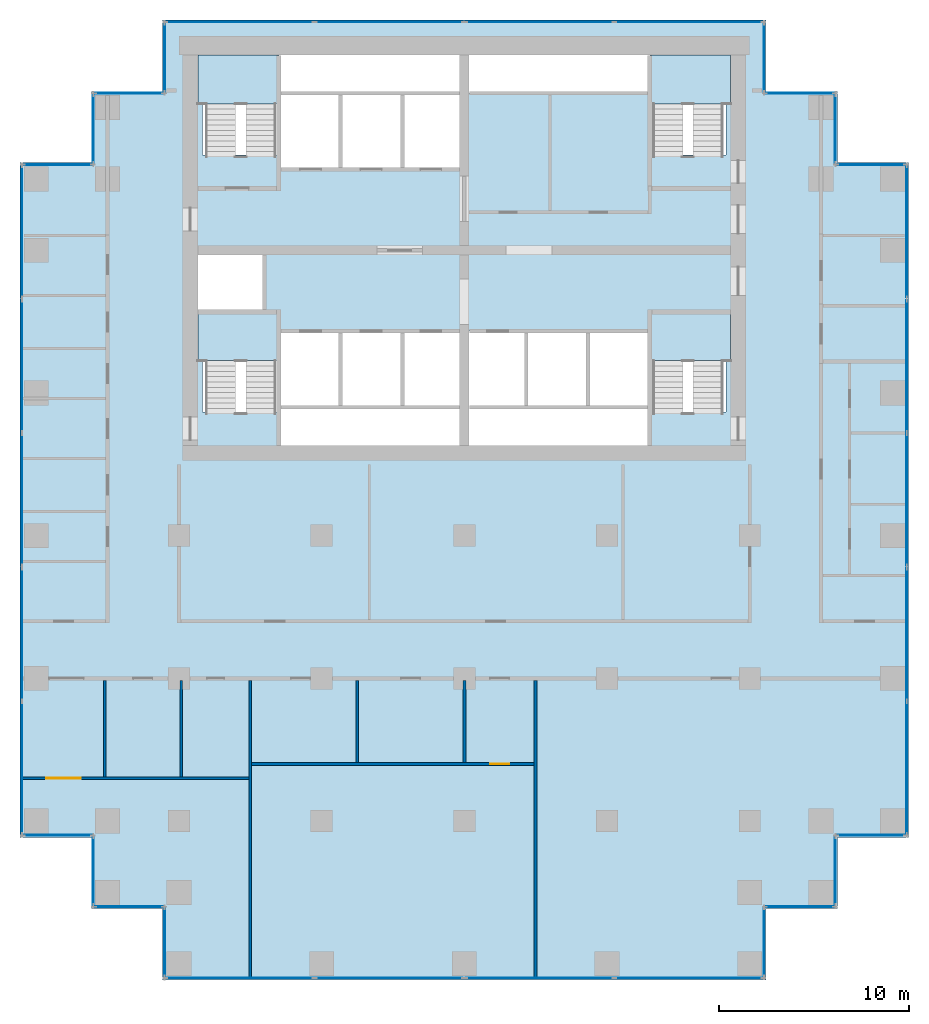
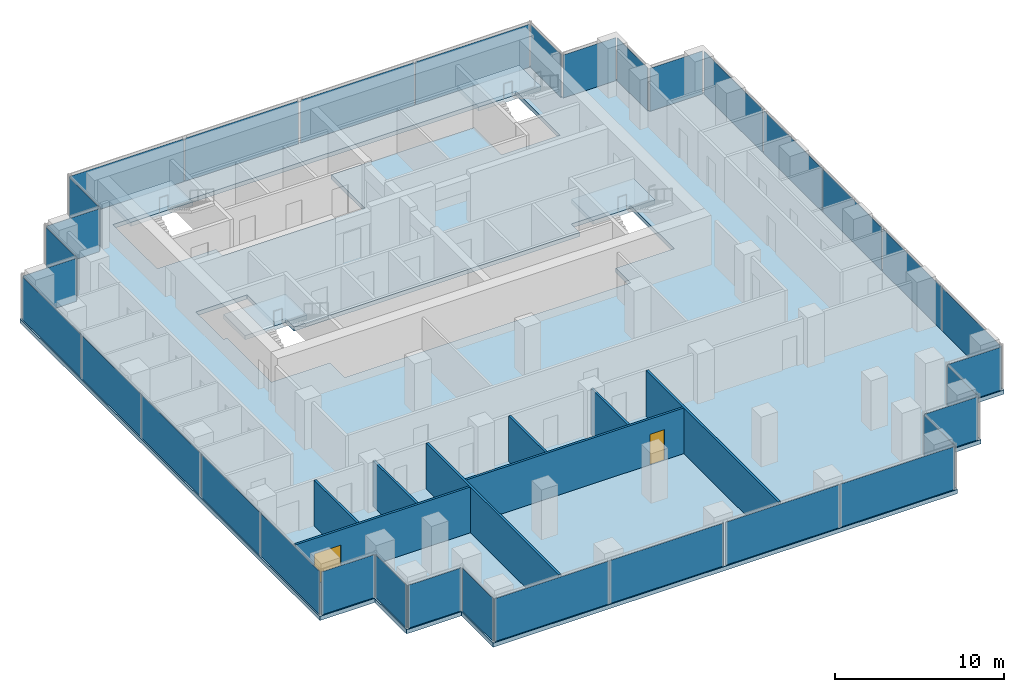
# One storey, part 6 of 10: 34 plates, 8 walls, 5 slabs, 2 doors, 2 openings, 30 elements without a shape of their own.
"""IFC4 building model written with IfcOpenShell, lengths in metres."""

from ifc_helpers import new_model, si_unit, direction, frame, frame_2d, origin, origin_2d, place, context, subcontext, project, spatial, polyline, rectangle, outline, extrude, material, layer, layer_set, type_object, element, fill, aggregate, save


model = new_model("IFC4")

# Units and contexts
model_context = context("Model", 3, precision=1e-05, world=origin(), true_north=direction((0.0, 1.0)))
body_context = subcontext(model_context, "Body", "Model", "MODEL_VIEW")
ifc_project = project(units=[si_unit("LENGTHUNIT", "METRE"), si_unit("AREAUNIT", "SQUARE_METRE"), si_unit("VOLUMEUNIT", "CUBIC_METRE"), si_unit("PLANEANGLEUNIT", "RADIAN"), si_unit("MASSUNIT", "GRAM", prefix="KILO")], contexts=[model_context])

# Site, building, storey
site_placement = place(None, origin())
site = spatial("IfcSite", under=ifc_project, at=site_placement, CompositionType="ELEMENT")
building_placement = place(site_placement, origin())
building = spatial("IfcBuilding", under=site, at=building_placement, Name="Pilkhan Gate Tower", CompositionType="ELEMENT")
storey_placement = place(building_placement, frame((0.0, 0.0, 128.800048828125)))
storey = spatial("IfcBuildingStorey", under=building, at=storey_placement, Name="L32", CompositionType="ELEMENT", Elevation=128.800048828125)

# Slab
ifc_material_1 = material(Name="Concrete C40/50", Category="concrete")
ifc_layer_1 = layer(ifc_material_1, 0.300048828125)
ifc_layer_set_1 = layer_set([ifc_layer_1], Name="Flat plate slab FP300")
slab_type_1 = type_object("IfcSlabType", Name="Flat plate slab FP300", PredefinedType="FLOOR", material=ifc_layer_set_1)
slab_1_placement = place(storey_placement, frame((0.0, 0.0, -0.300048828125)))
element("IfcSlab", 1, at=slab_1_placement, inside=storey, type_object=slab_type_1, Name="Floor slab L32", PredefinedType="FLOOR", context=body_context, shape_type="SweptSolid", body=[
    extrude(outline(polyline([(94.60009765625, 47.89990234375), (90.85009765625, 47.89990234375), (90.85009765625, 44.14990234375), (59.14990234375, 44.14990234375), (59.14990234375, 47.89990234375), (55.39990234375, 47.89990234375), (55.39990234375, 51.64990234375), (51.64990234375, 51.64990234375), (51.64990234375, 87.10009765625), (55.39990234375, 87.10009765625), (55.39990234375, 90.85009765625), (59.14990234375, 90.85009765625), (59.14990234375, 94.60009765625), (90.85009765625, 94.60009765625), (90.85009765625, 90.85009765625), (94.60009765625, 90.85009765625), (94.60009765625, 87.10009765625), (98.35009765625, 87.10009765625), (98.35009765625, 51.64990234375), (94.60009765625, 51.64990234375), (94.60009765625, 47.89990234375)]), holes=[polyline([(65.25, 87.5), (65.25, 86.75), (68.5, 86.75), (71.75, 86.75), (75.0, 86.75), (75.0, 90.75), (84.75, 90.75), (84.75, 87.5), (88.75, 87.5), (88.75, 92.75), (84.75, 92.75), (75.0, 92.75), (65.25, 92.75), (61.25, 92.75), (61.25, 87.5), (65.25, 87.5)]), polyline([(75.0, 72.25), (84.75, 72.25), (84.75, 74.0), (88.75, 74.0), (88.75, 79.25), (84.75, 79.25), (84.75, 78.25), (81.5, 78.25), (78.25, 78.25), (75.0, 78.25), (71.75, 78.25), (68.5, 78.25), (65.25, 78.25), (65.25, 79.25), (64.5, 79.25), (64.5, 82.5), (61.25, 82.5), (61.0, 82.5), (61.0, 79.25), (61.25, 79.25), (61.25, 74.0), (65.25, 74.0), (65.25, 72.25), (75.0, 72.25)])]), origin(), (0.0, 0.0, 1.0), 0.300048828125),
])

# Curtain wall, plates
ifc_material_2 = material(Name="Pale anodised aluminium, clear low-iron double glazing", Category="aluminium")
curtain_wall_type = type_object("IfcCurtainWallType", Name="Office unitised curtain wall CW-O1", PredefinedType="USERDEFINED", material=ifc_material_2)
curtain_wall_1_placement = place(storey_placement, origin())
curtain_wall_1 = element("IfcCurtainWall", 2, at=curtain_wall_1_placement, inside=storey, type_object=curtain_wall_type, Name="Office unitised curtain wall CW-O1 L32 E", ObjectType="UNITISED CURTAIN WALL", PredefinedType="USERDEFINED")
ifc_material_3 = material(Name="Clear low-iron double glazing", Category="glass")
ifc_layer_2 = layer(ifc_material_3, 0.0400390625)
ifc_layer_set_2 = layer_set([ifc_layer_2], Name="Glass panel CW-O1 40")
plate_type = type_object("IfcPlateType", Name="Glass panel CW-O1 40", PredefinedType="CURTAIN_PANEL", material=ifc_layer_set_2)
plate_1_placement = place(storey_placement, frame((98.25, 55.29248046875, 0.0), z_axis=(0.0, 0.0, 1.0), x_axis=(0.0, 1.0, 0.0)))
plate_1 = element("IfcPlate", 3, at=plate_1_placement, type_object=plate_type, Name="CW-O1 panel 1", PredefinedType="CURTAIN_PANEL", context=body_context, shape_type="SweptSolid", body=[
    extrude(rectangle(XDim=6.945068359375, YDim=0.0400390625, at=origin_2d()), origin(), (0.0, 0.0, 1.0), 3.10009765625),
])
plate_2_placement = place(storey_placement, frame((98.25, 62.3076171875, 0.0), z_axis=(0.0, 0.0, 1.0), x_axis=(0.0, 1.0, 0.0)))
plate_2 = element("IfcPlate", 4, at=plate_2_placement, type_object=plate_type, Name="CW-O1 panel 2", PredefinedType="CURTAIN_PANEL", context=body_context, shape_type="SweptSolid", body=[
    extrude(rectangle(XDim=6.945068359375, YDim=0.0400390625, at=origin_2d()), origin(), (0.0, 0.0, 1.0), 3.10009765625),
])
aggregate(curtain_wall_1, [plate_1, plate_2])

curtain_wall_2_placement = place(storey_placement, origin())
curtain_wall_2 = element("IfcCurtainWall", 5, at=curtain_wall_2_placement, inside=storey, type_object=curtain_wall_type, Name="Office unitised curtain wall CW-O1 L32 E", ObjectType="UNITISED CURTAIN WALL", PredefinedType="USERDEFINED")
plate_3_placement = place(storey_placement, frame((98.25, 69.392578125, 0.0), z_axis=(0.0, 0.0, 1.0), x_axis=(0.0, 1.0, 0.0)))
plate_3 = element("IfcPlate", 6, at=plate_3_placement, type_object=plate_type, Name="CW-O1 panel 1", PredefinedType="CURTAIN_PANEL", context=body_context, shape_type="SweptSolid", body=[
    extrude(rectangle(XDim=6.945068359375, YDim=0.0400390625, at=origin_2d()), origin(), (0.0, 0.0, 1.0), 3.10009765625),
])
plate_4_placement = place(storey_placement, frame((98.25, 76.407470703125, 0.0), z_axis=(0.0, 0.0, 1.0), x_axis=(0.0, 1.0, 0.0)))
plate_4 = element("IfcPlate", 7, at=plate_4_placement, type_object=plate_type, Name="CW-O1 panel 2", PredefinedType="CURTAIN_PANEL", context=body_context, shape_type="SweptSolid", body=[
    extrude(rectangle(XDim=6.945068359375, YDim=0.0400390625, at=origin_2d()), origin(), (0.0, 0.0, 1.0), 3.10009765625),
])
aggregate(curtain_wall_2, [plate_3, plate_4])

# Curtain wall, plate
curtain_wall_3_placement = place(storey_placement, origin())
curtain_wall_3 = element("IfcCurtainWall", 8, at=curtain_wall_3_placement, inside=storey, type_object=curtain_wall_type, Name="Office unitised curtain wall CW-O1 L32 E", ObjectType="UNITISED CURTAIN WALL", PredefinedType="USERDEFINED")
plate_5_placement = place(storey_placement, frame((98.25, 83.47509765625, 0.0), z_axis=(0.0, 0.0, 1.0), x_axis=(0.0, 1.0, 0.0)))
plate_5 = element("IfcPlate", 9, at=plate_5_placement, type_object=plate_type, Name="CW-O1 panel 1", PredefinedType="CURTAIN_PANEL", context=body_context, shape_type="SweptSolid", body=[
    extrude(rectangle(XDim=6.909912109375, YDim=0.0400390625, at=origin_2d()), origin(), (0.0, 0.0, 1.0), 3.10009765625),
])
aggregate(curtain_wall_3, [plate_5])

curtain_wall_4_placement = place(storey_placement, origin())
curtain_wall_4 = element("IfcCurtainWall", 10, at=curtain_wall_4_placement, inside=storey, type_object=curtain_wall_type, Name="Office unitised curtain wall CW-O1 L32 N", ObjectType="UNITISED CURTAIN WALL", PredefinedType="USERDEFINED")
plate_6_placement = place(storey_placement, frame((96.375, 87.0, 0.0), z_axis=(0.0, 0.0, 1.0), x_axis=(1.0, 0.0, 0.0)))
plate_6 = element("IfcPlate", 11, at=plate_6_placement, type_object=plate_type, Name="CW-O1 panel 1", PredefinedType="CURTAIN_PANEL", context=body_context, shape_type="SweptSolid", body=[
    extrude(rectangle(XDim=3.610107421875, YDim=0.0400390625, at=origin_2d()), origin(), (0.0, 0.0, 1.0), 3.10009765625),
])
aggregate(curtain_wall_4, [plate_6])

curtain_wall_5_placement = place(storey_placement, origin())
curtain_wall_5 = element("IfcCurtainWall", 12, at=curtain_wall_5_placement, inside=storey, type_object=curtain_wall_type, Name="Office unitised curtain wall CW-O1 L32 E", ObjectType="UNITISED CURTAIN WALL", PredefinedType="USERDEFINED")
plate_7_placement = place(storey_placement, frame((94.5, 88.875, 0.0), z_axis=(0.0, 0.0, 1.0), x_axis=(0.0, 1.0, 0.0)))
plate_7 = element("IfcPlate", 13, at=plate_7_placement, type_object=plate_type, Name="CW-O1 panel 1", PredefinedType="CURTAIN_PANEL", context=body_context, shape_type="SweptSolid", body=[
    extrude(rectangle(XDim=3.610107421875, YDim=0.0400390625, at=origin_2d()), origin(), (0.0, 0.0, 1.0), 3.10009765625),
])
aggregate(curtain_wall_5, [plate_7])

curtain_wall_6_placement = place(storey_placement, origin())
curtain_wall_6 = element("IfcCurtainWall", 14, at=curtain_wall_6_placement, inside=storey, type_object=curtain_wall_type, Name="Office unitised curtain wall CW-O1 L32 N", ObjectType="UNITISED CURTAIN WALL", PredefinedType="USERDEFINED")
plate_8_placement = place(storey_placement, frame((92.625, 90.75, 0.0), z_axis=(0.0, 0.0, 1.0), x_axis=(1.0, 0.0, 0.0)))
plate_8 = element("IfcPlate", 15, at=plate_8_placement, type_object=plate_type, Name="CW-O1 panel 1", PredefinedType="CURTAIN_PANEL", context=body_context, shape_type="SweptSolid", body=[
    extrude(rectangle(XDim=3.610107421875, YDim=0.0400390625, at=origin_2d()), origin(), (0.0, 0.0, 1.0), 3.10009765625),
])
aggregate(curtain_wall_6, [plate_8])

curtain_wall_7_placement = place(storey_placement, origin())
curtain_wall_7 = element("IfcCurtainWall", 16, at=curtain_wall_7_placement, inside=storey, type_object=curtain_wall_type, Name="Office unitised curtain wall CW-O1 L32 E", ObjectType="UNITISED CURTAIN WALL", PredefinedType="USERDEFINED")
plate_9_placement = place(storey_placement, frame((90.75, 92.625, 0.0), z_axis=(0.0, 0.0, 1.0), x_axis=(0.0, 1.0, 0.0)))
plate_9 = element("IfcPlate", 17, at=plate_9_placement, type_object=plate_type, Name="CW-O1 panel 1", PredefinedType="CURTAIN_PANEL", context=body_context, shape_type="SweptSolid", body=[
    extrude(rectangle(XDim=3.610107421875, YDim=0.0400390625, at=origin_2d()), origin(), (0.0, 0.0, 1.0), 3.10009765625),
])
aggregate(curtain_wall_7, [plate_9])

# Curtain wall, plates
curtain_wall_8_placement = place(storey_placement, origin())
curtain_wall_8 = element("IfcCurtainWall", 18, at=curtain_wall_8_placement, inside=storey, type_object=curtain_wall_type, Name="Office unitised curtain wall CW-O1 L32 N", ObjectType="UNITISED CURTAIN WALL", PredefinedType="USERDEFINED")
plate_10_placement = place(storey_placement, frame((63.205078125, 94.5, 0.0), z_axis=(0.0, 0.0, 1.0), x_axis=(1.0, 0.0, 0.0)))
plate_10 = element("IfcPlate", 19, at=plate_10_placement, type_object=plate_type, Name="CW-O1 panel 1", PredefinedType="CURTAIN_PANEL", context=body_context, shape_type="SweptSolid", body=[
    extrude(rectangle(XDim=7.77001953125, YDim=0.0400390625, at=origin_2d()), origin(), (0.0, 0.0, 1.0), 3.10009765625),
])
plate_11_placement = place(storey_placement, frame((71.044921875, 94.5, 0.0), z_axis=(0.0, 0.0, 1.0), x_axis=(1.0, 0.0, 0.0)))
plate_11 = element("IfcPlate", 20, at=plate_11_placement, type_object=plate_type, Name="CW-O1 panel 2", PredefinedType="CURTAIN_PANEL", context=body_context, shape_type="SweptSolid", body=[
    extrude(rectangle(XDim=7.77001953125, YDim=0.0400390625, at=origin_2d()), origin(), (0.0, 0.0, 1.0), 3.10009765625),
])
aggregate(curtain_wall_8, [plate_10, plate_11])

curtain_wall_9_placement = place(storey_placement, origin())
curtain_wall_9 = element("IfcCurtainWall", 21, at=curtain_wall_9_placement, inside=storey, type_object=curtain_wall_type, Name="Office unitised curtain wall CW-O1 L32 N", ObjectType="UNITISED CURTAIN WALL", PredefinedType="USERDEFINED")
plate_12_placement = place(storey_placement, frame((78.955078125, 94.5, 0.0), z_axis=(0.0, 0.0, 1.0), x_axis=(1.0, 0.0, 0.0)))
plate_12 = element("IfcPlate", 22, at=plate_12_placement, type_object=plate_type, Name="CW-O1 panel 1", PredefinedType="CURTAIN_PANEL", context=body_context, shape_type="SweptSolid", body=[
    extrude(rectangle(XDim=7.77001953125, YDim=0.0400390625, at=origin_2d()), origin(), (0.0, 0.0, 1.0), 3.10009765625),
])
plate_13_placement = place(storey_placement, frame((86.794921875, 94.5, 0.0), z_axis=(0.0, 0.0, 1.0), x_axis=(1.0, 0.0, 0.0)))
plate_13 = element("IfcPlate", 23, at=plate_13_placement, type_object=plate_type, Name="CW-O1 panel 2", PredefinedType="CURTAIN_PANEL", context=body_context, shape_type="SweptSolid", body=[
    extrude(rectangle(XDim=7.77001953125, YDim=0.0400390625, at=origin_2d()), origin(), (0.0, 0.0, 1.0), 3.10009765625),
])
aggregate(curtain_wall_9, [plate_12, plate_13])

# Curtain wall, plate
curtain_wall_10_placement = place(storey_placement, origin())
curtain_wall_10 = element("IfcCurtainWall", 24, at=curtain_wall_10_placement, inside=storey, type_object=curtain_wall_type, Name="Office unitised curtain wall CW-O1 L32 W", ObjectType="UNITISED CURTAIN WALL", PredefinedType="USERDEFINED")
plate_14_placement = place(storey_placement, frame((59.25, 92.625, 0.0), z_axis=(0.0, 0.0, 1.0), x_axis=(0.0, 1.0, 0.0)))
plate_14 = element("IfcPlate", 25, at=plate_14_placement, type_object=plate_type, Name="CW-O1 panel 1", PredefinedType="CURTAIN_PANEL", context=body_context, shape_type="SweptSolid", body=[
    extrude(rectangle(XDim=3.610107421875, YDim=0.0400390625, at=origin_2d()), origin(), (0.0, 0.0, 1.0), 3.10009765625),
])
aggregate(curtain_wall_10, [plate_14])

curtain_wall_11_placement = place(storey_placement, origin())
curtain_wall_11 = element("IfcCurtainWall", 26, at=curtain_wall_11_placement, inside=storey, type_object=curtain_wall_type, Name="Office unitised curtain wall CW-O1 L32 N", ObjectType="UNITISED CURTAIN WALL", PredefinedType="USERDEFINED")
plate_15_placement = place(storey_placement, frame((57.375, 90.75, 0.0), z_axis=(0.0, 0.0, 1.0), x_axis=(1.0, 0.0, 0.0)))
plate_15 = element("IfcPlate", 27, at=plate_15_placement, type_object=plate_type, Name="CW-O1 panel 1", PredefinedType="CURTAIN_PANEL", context=body_context, shape_type="SweptSolid", body=[
    extrude(rectangle(XDim=3.610107421875, YDim=0.0400390625, at=origin_2d()), origin(), (0.0, 0.0, 1.0), 3.10009765625),
])
aggregate(curtain_wall_11, [plate_15])

curtain_wall_12_placement = place(storey_placement, origin())
curtain_wall_12 = element("IfcCurtainWall", 28, at=curtain_wall_12_placement, inside=storey, type_object=curtain_wall_type, Name="Office unitised curtain wall CW-O1 L32 W", ObjectType="UNITISED CURTAIN WALL", PredefinedType="USERDEFINED")
plate_16_placement = place(storey_placement, frame((55.5, 88.875, 0.0), z_axis=(0.0, 0.0, 1.0), x_axis=(0.0, 1.0, 0.0)))
plate_16 = element("IfcPlate", 29, at=plate_16_placement, type_object=plate_type, Name="CW-O1 panel 1", PredefinedType="CURTAIN_PANEL", context=body_context, shape_type="SweptSolid", body=[
    extrude(rectangle(XDim=3.610107421875, YDim=0.0400390625, at=origin_2d()), origin(), (0.0, 0.0, 1.0), 3.10009765625),
])
aggregate(curtain_wall_12, [plate_16])

curtain_wall_13_placement = place(storey_placement, origin())
curtain_wall_13 = element("IfcCurtainWall", 30, at=curtain_wall_13_placement, inside=storey, type_object=curtain_wall_type, Name="Office unitised curtain wall CW-O1 L32 N", ObjectType="UNITISED CURTAIN WALL", PredefinedType="USERDEFINED")
plate_17_placement = place(storey_placement, frame((53.625, 87.0, 0.0), z_axis=(0.0, 0.0, 1.0), x_axis=(1.0, 0.0, 0.0)))
plate_17 = element("IfcPlate", 31, at=plate_17_placement, type_object=plate_type, Name="CW-O1 panel 1", PredefinedType="CURTAIN_PANEL", context=body_context, shape_type="SweptSolid", body=[
    extrude(rectangle(XDim=3.610107421875, YDim=0.0400390625, at=origin_2d()), origin(), (0.0, 0.0, 1.0), 3.10009765625),
])
aggregate(curtain_wall_13, [plate_17])

# Curtain wall, plates
curtain_wall_14_placement = place(storey_placement, origin())
curtain_wall_14 = element("IfcCurtainWall", 32, at=curtain_wall_14_placement, inside=storey, type_object=curtain_wall_type, Name="Office unitised curtain wall CW-O1 L32 W", ObjectType="UNITISED CURTAIN WALL", PredefinedType="USERDEFINED")
plate_18_placement = place(storey_placement, frame((51.75, 55.29248046875, 0.0), z_axis=(0.0, 0.0, 1.0), x_axis=(0.0, 1.0, 0.0)))
plate_18 = element("IfcPlate", 33, at=plate_18_placement, type_object=plate_type, Name="CW-O1 panel 1", PredefinedType="CURTAIN_PANEL", context=body_context, shape_type="SweptSolid", body=[
    extrude(rectangle(XDim=6.945068359375, YDim=0.0400390625, at=origin_2d()), origin(), (0.0, 0.0, 1.0), 3.10009765625),
])
plate_19_placement = place(storey_placement, frame((51.75, 62.3076171875, 0.0), z_axis=(0.0, 0.0, 1.0), x_axis=(0.0, 1.0, 0.0)))
plate_19 = element("IfcPlate", 34, at=plate_19_placement, type_object=plate_type, Name="CW-O1 panel 2", PredefinedType="CURTAIN_PANEL", context=body_context, shape_type="SweptSolid", body=[
    extrude(rectangle(XDim=6.945068359375, YDim=0.0400390625, at=origin_2d()), origin(), (0.0, 0.0, 1.0), 3.10009765625),
])
aggregate(curtain_wall_14, [plate_18, plate_19])

curtain_wall_15_placement = place(storey_placement, origin())
curtain_wall_15 = element("IfcCurtainWall", 35, at=curtain_wall_15_placement, inside=storey, type_object=curtain_wall_type, Name="Office unitised curtain wall CW-O1 L32 W", ObjectType="UNITISED CURTAIN WALL", PredefinedType="USERDEFINED")
plate_20_placement = place(storey_placement, frame((51.75, 69.392578125, 0.0), z_axis=(0.0, 0.0, 1.0), x_axis=(0.0, 1.0, 0.0)))
plate_20 = element("IfcPlate", 36, at=plate_20_placement, type_object=plate_type, Name="CW-O1 panel 1", PredefinedType="CURTAIN_PANEL", context=body_context, shape_type="SweptSolid", body=[
    extrude(rectangle(XDim=6.945068359375, YDim=0.0400390625, at=origin_2d()), origin(), (0.0, 0.0, 1.0), 3.10009765625),
])
plate_21_placement = place(storey_placement, frame((51.75, 76.407470703125, 0.0), z_axis=(0.0, 0.0, 1.0), x_axis=(0.0, 1.0, 0.0)))
plate_21 = element("IfcPlate", 37, at=plate_21_placement, type_object=plate_type, Name="CW-O1 panel 2", PredefinedType="CURTAIN_PANEL", context=body_context, shape_type="SweptSolid", body=[
    extrude(rectangle(XDim=6.945068359375, YDim=0.0400390625, at=origin_2d()), origin(), (0.0, 0.0, 1.0), 3.10009765625),
])
aggregate(curtain_wall_15, [plate_20, plate_21])

# Curtain wall, plate
curtain_wall_16_placement = place(storey_placement, origin())
curtain_wall_16 = element("IfcCurtainWall", 38, at=curtain_wall_16_placement, inside=storey, type_object=curtain_wall_type, Name="Office unitised curtain wall CW-O1 L32 W", ObjectType="UNITISED CURTAIN WALL", PredefinedType="USERDEFINED")
plate_22_placement = place(storey_placement, frame((51.75, 83.47509765625, 0.0), z_axis=(0.0, 0.0, 1.0), x_axis=(0.0, 1.0, 0.0)))
plate_22 = element("IfcPlate", 39, at=plate_22_placement, type_object=plate_type, Name="CW-O1 panel 1", PredefinedType="CURTAIN_PANEL", context=body_context, shape_type="SweptSolid", body=[
    extrude(rectangle(XDim=6.909912109375, YDim=0.0400390625, at=origin_2d()), origin(), (0.0, 0.0, 1.0), 3.10009765625),
])
aggregate(curtain_wall_16, [plate_22])

curtain_wall_17_placement = place(storey_placement, origin())
curtain_wall_17 = element("IfcCurtainWall", 40, at=curtain_wall_17_placement, inside=storey, type_object=curtain_wall_type, Name="Office unitised curtain wall CW-O1 L32 S", ObjectType="UNITISED CURTAIN WALL", PredefinedType="USERDEFINED")
plate_23_placement = place(storey_placement, frame((53.625, 51.75, 0.0), z_axis=(0.0, 0.0, 1.0), x_axis=(1.0, 0.0, 0.0)))
plate_23 = element("IfcPlate", 41, at=plate_23_placement, type_object=plate_type, Name="CW-O1 panel 1", PredefinedType="CURTAIN_PANEL", context=body_context, shape_type="SweptSolid", body=[
    extrude(rectangle(XDim=3.610107421875, YDim=0.0400390625, at=origin_2d()), origin(), (0.0, 0.0, 1.0), 3.10009765625),
])
aggregate(curtain_wall_17, [plate_23])

curtain_wall_18_placement = place(storey_placement, origin())
curtain_wall_18 = element("IfcCurtainWall", 42, at=curtain_wall_18_placement, inside=storey, type_object=curtain_wall_type, Name="Office unitised curtain wall CW-O1 L32 W", ObjectType="UNITISED CURTAIN WALL", PredefinedType="USERDEFINED")
plate_24_placement = place(storey_placement, frame((55.5, 49.875, 0.0), z_axis=(0.0, 0.0, 1.0), x_axis=(0.0, 1.0, 0.0)))
plate_24 = element("IfcPlate", 43, at=plate_24_placement, type_object=plate_type, Name="CW-O1 panel 1", PredefinedType="CURTAIN_PANEL", context=body_context, shape_type="SweptSolid", body=[
    extrude(rectangle(XDim=3.610107421875, YDim=0.0400390625, at=origin_2d()), origin(), (0.0, 0.0, 1.0), 3.10009765625),
])
aggregate(curtain_wall_18, [plate_24])

curtain_wall_19_placement = place(storey_placement, origin())
curtain_wall_19 = element("IfcCurtainWall", 44, at=curtain_wall_19_placement, inside=storey, type_object=curtain_wall_type, Name="Office unitised curtain wall CW-O1 L32 S", ObjectType="UNITISED CURTAIN WALL", PredefinedType="USERDEFINED")
plate_25_placement = place(storey_placement, frame((57.375, 48.0, 0.0), z_axis=(0.0, 0.0, 1.0), x_axis=(1.0, 0.0, 0.0)))
plate_25 = element("IfcPlate", 45, at=plate_25_placement, type_object=plate_type, Name="CW-O1 panel 1", PredefinedType="CURTAIN_PANEL", context=body_context, shape_type="SweptSolid", body=[
    extrude(rectangle(XDim=3.610107421875, YDim=0.0400390625, at=origin_2d()), origin(), (0.0, 0.0, 1.0), 3.10009765625),
])
aggregate(curtain_wall_19, [plate_25])

curtain_wall_20_placement = place(storey_placement, origin())
curtain_wall_20 = element("IfcCurtainWall", 46, at=curtain_wall_20_placement, inside=storey, type_object=curtain_wall_type, Name="Office unitised curtain wall CW-O1 L32 W", ObjectType="UNITISED CURTAIN WALL", PredefinedType="USERDEFINED")
plate_26_placement = place(storey_placement, frame((59.25, 46.125, 0.0), z_axis=(0.0, 0.0, 1.0), x_axis=(0.0, 1.0, 0.0)))
plate_26 = element("IfcPlate", 47, at=plate_26_placement, type_object=plate_type, Name="CW-O1 panel 1", PredefinedType="CURTAIN_PANEL", context=body_context, shape_type="SweptSolid", body=[
    extrude(rectangle(XDim=3.610107421875, YDim=0.0400390625, at=origin_2d()), origin(), (0.0, 0.0, 1.0), 3.10009765625),
])
aggregate(curtain_wall_20, [plate_26])

# Curtain wall, plates
curtain_wall_21_placement = place(storey_placement, origin())
curtain_wall_21 = element("IfcCurtainWall", 48, at=curtain_wall_21_placement, inside=storey, type_object=curtain_wall_type, Name="Office unitised curtain wall CW-O1 L32 S", ObjectType="UNITISED CURTAIN WALL", PredefinedType="USERDEFINED")
plate_27_placement = place(storey_placement, frame((63.205078125, 44.25, 0.0), z_axis=(0.0, 0.0, 1.0), x_axis=(1.0, 0.0, 0.0)))
plate_27 = element("IfcPlate", 49, at=plate_27_placement, type_object=plate_type, Name="CW-O1 panel 1", PredefinedType="CURTAIN_PANEL", context=body_context, shape_type="SweptSolid", body=[
    extrude(rectangle(XDim=7.77001953125, YDim=0.0400390625, at=origin_2d()), origin(), (0.0, 0.0, 1.0), 3.10009765625),
])
plate_28_placement = place(storey_placement, frame((71.044921875, 44.25, 0.0), z_axis=(0.0, 0.0, 1.0), x_axis=(1.0, 0.0, 0.0)))
plate_28 = element("IfcPlate", 50, at=plate_28_placement, type_object=plate_type, Name="CW-O1 panel 2", PredefinedType="CURTAIN_PANEL", context=body_context, shape_type="SweptSolid", body=[
    extrude(rectangle(XDim=7.77001953125, YDim=0.0400390625, at=origin_2d()), origin(), (0.0, 0.0, 1.0), 3.10009765625),
])
aggregate(curtain_wall_21, [plate_27, plate_28])

curtain_wall_22_placement = place(storey_placement, origin())
curtain_wall_22 = element("IfcCurtainWall", 51, at=curtain_wall_22_placement, inside=storey, type_object=curtain_wall_type, Name="Office unitised curtain wall CW-O1 L32 S", ObjectType="UNITISED CURTAIN WALL", PredefinedType="USERDEFINED")
plate_29_placement = place(storey_placement, frame((78.955078125, 44.25, 0.0), z_axis=(0.0, 0.0, 1.0), x_axis=(1.0, 0.0, 0.0)))
plate_29 = element("IfcPlate", 52, at=plate_29_placement, type_object=plate_type, Name="CW-O1 panel 1", PredefinedType="CURTAIN_PANEL", context=body_context, shape_type="SweptSolid", body=[
    extrude(rectangle(XDim=7.77001953125, YDim=0.0400390625, at=origin_2d()), origin(), (0.0, 0.0, 1.0), 3.10009765625),
])
plate_30_placement = place(storey_placement, frame((86.794921875, 44.25, 0.0), z_axis=(0.0, 0.0, 1.0), x_axis=(1.0, 0.0, 0.0)))
plate_30 = element("IfcPlate", 53, at=plate_30_placement, type_object=plate_type, Name="CW-O1 panel 2", PredefinedType="CURTAIN_PANEL", context=body_context, shape_type="SweptSolid", body=[
    extrude(rectangle(XDim=7.77001953125, YDim=0.0400390625, at=origin_2d()), origin(), (0.0, 0.0, 1.0), 3.10009765625),
])
aggregate(curtain_wall_22, [plate_29, plate_30])

# Curtain wall, plate
curtain_wall_23_placement = place(storey_placement, origin())
curtain_wall_23 = element("IfcCurtainWall", 54, at=curtain_wall_23_placement, inside=storey, type_object=curtain_wall_type, Name="Office unitised curtain wall CW-O1 L32 E", ObjectType="UNITISED CURTAIN WALL", PredefinedType="USERDEFINED")
plate_31_placement = place(storey_placement, frame((90.75, 46.125, 0.0), z_axis=(0.0, 0.0, 1.0), x_axis=(0.0, 1.0, 0.0)))
plate_31 = element("IfcPlate", 55, at=plate_31_placement, type_object=plate_type, Name="CW-O1 panel 1", PredefinedType="CURTAIN_PANEL", context=body_context, shape_type="SweptSolid", body=[
    extrude(rectangle(XDim=3.610107421875, YDim=0.0400390625, at=origin_2d()), origin(), (0.0, 0.0, 1.0), 3.10009765625),
])
aggregate(curtain_wall_23, [plate_31])

curtain_wall_24_placement = place(storey_placement, origin())
curtain_wall_24 = element("IfcCurtainWall", 56, at=curtain_wall_24_placement, inside=storey, type_object=curtain_wall_type, Name="Office unitised curtain wall CW-O1 L32 S", ObjectType="UNITISED CURTAIN WALL", PredefinedType="USERDEFINED")
plate_32_placement = place(storey_placement, frame((92.625, 48.0, 0.0), z_axis=(0.0, 0.0, 1.0), x_axis=(1.0, 0.0, 0.0)))
plate_32 = element("IfcPlate", 57, at=plate_32_placement, type_object=plate_type, Name="CW-O1 panel 1", PredefinedType="CURTAIN_PANEL", context=body_context, shape_type="SweptSolid", body=[
    extrude(rectangle(XDim=3.610107421875, YDim=0.0400390625, at=origin_2d()), origin(), (0.0, 0.0, 1.0), 3.10009765625),
])
aggregate(curtain_wall_24, [plate_32])

curtain_wall_25_placement = place(storey_placement, origin())
curtain_wall_25 = element("IfcCurtainWall", 58, at=curtain_wall_25_placement, inside=storey, type_object=curtain_wall_type, Name="Office unitised curtain wall CW-O1 L32 E", ObjectType="UNITISED CURTAIN WALL", PredefinedType="USERDEFINED")
plate_33_placement = place(storey_placement, frame((94.5, 49.875, 0.0), z_axis=(0.0, 0.0, 1.0), x_axis=(0.0, 1.0, 0.0)))
plate_33 = element("IfcPlate", 59, at=plate_33_placement, type_object=plate_type, Name="CW-O1 panel 1", PredefinedType="CURTAIN_PANEL", context=body_context, shape_type="SweptSolid", body=[
    extrude(rectangle(XDim=3.610107421875, YDim=0.0400390625, at=origin_2d()), origin(), (0.0, 0.0, 1.0), 3.10009765625),
])
aggregate(curtain_wall_25, [plate_33])

curtain_wall_26_placement = place(storey_placement, origin())
curtain_wall_26 = element("IfcCurtainWall", 60, at=curtain_wall_26_placement, inside=storey, type_object=curtain_wall_type, Name="Office unitised curtain wall CW-O1 L32 S", ObjectType="UNITISED CURTAIN WALL", PredefinedType="USERDEFINED")
plate_34_placement = place(storey_placement, frame((96.375, 51.75, 0.0), z_axis=(0.0, 0.0, 1.0), x_axis=(1.0, 0.0, 0.0)))
plate_34 = element("IfcPlate", 61, at=plate_34_placement, type_object=plate_type, Name="CW-O1 panel 1", PredefinedType="CURTAIN_PANEL", context=body_context, shape_type="SweptSolid", body=[
    extrude(rectangle(XDim=3.610107421875, YDim=0.0400390625, at=origin_2d()), origin(), (0.0, 0.0, 1.0), 3.10009765625),
])
aggregate(curtain_wall_26, [plate_34])

# Stair, slab
ifc_material_4 = material(Name="Concrete C40/50 precast", Category="concrete")
stair_type_1 = type_object("IfcStairType", Name="Stair ST1 164x280", PredefinedType="HALF_TURN_STAIR", material=ifc_material_4)
stair_1_placement = place(storey_placement, origin())
stair_1 = element("IfcStair", 62, at=stair_1_placement, inside=storey, type_object=stair_type_1, Name="Stair ST1 L32", PredefinedType="HALF_TURN_STAIR")
ifc_layer_3 = layer(ifc_material_1, 0.199951171875)
ifc_layer_set_3 = layer_set([ifc_layer_3], Name="Stair landing SL200")
slab_type_2 = type_object("IfcSlabType", Name="Stair landing SL200", PredefinedType="LANDING", material=ifc_layer_set_3)
slab_2_placement = place(storey_placement, frame((0.0, 0.0, 1.5)))
slab_2 = element("IfcSlab", 63, at=slab_2_placement, type_object=slab_type_2, Name="ST1 landing 1", PredefinedType="LANDING", context=body_context, shape_type="SweptSolid", body=[
    extrude(outline(polyline([(89.0, 76.699951171875), (89.0, 79.25), (84.75, 79.25), (84.75, 76.699951171875), (89.0, 76.699951171875)])), origin(), (0.0, 0.0, 1.0), 0.300048828125),
])
aggregate(stair_1, [slab_2])

stair_type_2 = type_object("IfcStairType", Name="Stair ST2 164x280", PredefinedType="HALF_TURN_STAIR", material=ifc_material_4)
stair_2_placement = place(storey_placement, origin())
stair_2 = element("IfcStair", 64, at=stair_2_placement, inside=storey, type_object=stair_type_2, Name="Stair ST2 L32", PredefinedType="HALF_TURN_STAIR")
slab_3_placement = place(storey_placement, frame((0.0, 0.0, 1.5)))
slab_3 = element("IfcSlab", 65, at=slab_3_placement, type_object=slab_type_2, Name="ST2 landing 1", PredefinedType="LANDING", context=body_context, shape_type="SweptSolid", body=[
    extrude(outline(polyline([(65.25, 76.699951171875), (65.25, 79.25), (61.0, 79.25), (61.0, 76.699951171875), (65.25, 76.699951171875)])), origin(), (0.0, 0.0, 1.0), 0.300048828125),
])
aggregate(stair_2, [slab_3])

stair_type_3 = type_object("IfcStairType", Name="Stair ST3 164x280", PredefinedType="HALF_TURN_STAIR", material=ifc_material_4)
stair_3_placement = place(storey_placement, origin())
stair_3 = element("IfcStair", 66, at=stair_3_placement, inside=storey, type_object=stair_type_3, Name="Stair ST3 L32", PredefinedType="HALF_TURN_STAIR")
slab_4_placement = place(storey_placement, frame((0.0, 0.0, 1.5)))
slab_4 = element("IfcSlab", 67, at=slab_4_placement, type_object=slab_type_2, Name="ST3 landing 1", PredefinedType="LANDING", context=body_context, shape_type="SweptSolid", body=[
    extrude(outline(polyline([(65.25, 90.199951171875), (65.25, 92.75), (61.0, 92.75), (61.0, 90.199951171875), (65.25, 90.199951171875)])), origin(), (0.0, 0.0, 1.0), 0.300048828125),
])
aggregate(stair_3, [slab_4])

stair_type_4 = type_object("IfcStairType", Name="Stair ST4 164x280", PredefinedType="HALF_TURN_STAIR", material=ifc_material_4)
stair_4_placement = place(storey_placement, origin())
stair_4 = element("IfcStair", 68, at=stair_4_placement, inside=storey, type_object=stair_type_4, Name="Stair ST4 L32", PredefinedType="HALF_TURN_STAIR")
slab_5_placement = place(storey_placement, frame((0.0, 0.0, 1.5)))
slab_5 = element("IfcSlab", 69, at=slab_5_placement, type_object=slab_type_2, Name="ST4 landing 1", PredefinedType="LANDING", context=body_context, shape_type="SweptSolid", body=[
    extrude(outline(polyline([(89.0, 90.199951171875), (89.0, 92.75), (84.75, 92.75), (84.75, 90.199951171875), (89.0, 90.199951171875)])), origin(), (0.0, 0.0, 1.0), 0.300048828125),
])
aggregate(stair_4, [slab_5])

# Wall, opening, door
ifc_material_5 = material(Name="Blockwork partition, plastered both sides", Category="masonry")
ifc_layer_4 = layer(ifc_material_5, 0.14990234375)
ifc_layer_set_4 = layer_set([ifc_layer_4], Name="Partition PW150")
wall_type = type_object("IfcWallType", Name="Partition PW150", PredefinedType="PARTITIONING", material=ifc_layer_set_4)
wall_1_placement = place(storey_placement, frame((51.735107421875, 54.75, 0.0), z_axis=(0.0, 0.0, 1.0), x_axis=(1.0, 0.0, 0.0)))
wall_1 = element("IfcWall", 70, at=wall_1_placement, inside=storey, type_object=wall_type, Name="Partition L32", PredefinedType="PARTITIONING", context=body_context, shape_type="SweptSolid", body=[
    extrude(rectangle(XDim=11.93994140625, YDim=0.14990234375, at=frame_2d((5.969970703125, 0.0))), origin(), (0.0, 0.0, 1.0), 3.300048828125),
])
opening_1_placement = place(wall_1_placement, frame((1.300048828125, 0.0, 0.0)))
opening_1 = element("IfcOpeningElement", 71, at=opening_1_placement, cuts=wall_1, Name="Opening L32-20", PredefinedType="OPENING", context=body_context, shape_type="SweptSolid", body=[
    extrude(rectangle(XDim=1.800048828125, YDim=2.199951171875, at=frame_2d((0.89990234375, 1.10009765625))), frame((0.0, 0.0849609375, 0.0), z_axis=(0.0, -1.0, 0.0), x_axis=(1.0, 0.0, 0.0)), (0.0, 0.0, 1.0), 0.169921875),
])
ifc_material_6 = material(Name="Timber glazed double door, 30 minute fire resisting", Category="wood")
door_type_1 = type_object("IfcDoorType", Name="Double door D04 1800x2200", OperationType="DOUBLE_DOOR_SINGLE_SWING", PredefinedType="DOOR", material=ifc_material_6)
door_1_placement = place(opening_1_placement, origin())
door_1 = element("IfcDoor", 72, at=door_1_placement, inside=storey, type_object=door_type_1, Name="Double door", OperationType="DOUBLE_DOOR_SINGLE_SWING", OverallHeight=2.199951171875, OverallWidth=1.800048828125, PredefinedType="DOOR", context=body_context, shape_type="SweptSolid", body=[
    extrude(rectangle(XDim=1.800048828125, YDim=2.199951171875, at=frame_2d((0.89990234375, 1.10009765625))), frame((0.0, 0.02490234375, 0.0), z_axis=(0.0, -1.0, 0.0), x_axis=(1.0, 0.0, 0.0)), (0.0, 0.0, 1.0), 0.050048828125),
])
fill(opening_1, door_1)

wall_2_placement = place(storey_placement, frame((63.824951171875, 55.5, 0.0), z_axis=(0.0, 0.0, 1.0), x_axis=(1.0, 0.0, 0.0)))
wall_2 = element("IfcWall", 73, at=wall_2_placement, inside=storey, type_object=wall_type, Name="Partition L32", PredefinedType="PARTITIONING", context=body_context, shape_type="SweptSolid", body=[
    extrude(rectangle(XDim=14.85009765625, YDim=0.14990234375, at=frame_2d((7.425048828125, 0.0))), origin(), (0.0, 0.0, 1.0), 3.300048828125),
])
opening_2_placement = place(wall_2_placement, frame((12.52490234375, 0.0, 0.0)))
opening_2 = element("IfcOpeningElement", 74, at=opening_2_placement, cuts=wall_2, Name="Opening L32-23", PredefinedType="OPENING", context=body_context, shape_type="SweptSolid", body=[
    extrude(rectangle(XDim=1.0, YDim=2.199951171875, at=frame_2d((0.5, 1.10009765625))), frame((0.0, 0.0849609375, 0.0), z_axis=(0.0, -1.0, 0.0), x_axis=(1.0, 0.0, 0.0)), (0.0, 0.0, 1.0), 0.169921875),
])
ifc_material_7 = material(Name="Timber flush door, 30 minute fire resisting", Category="wood")
door_type_2 = type_object("IfcDoorType", Name="Room door D03 1000x2200", OperationType="SINGLE_SWING_LEFT", PredefinedType="DOOR", material=ifc_material_7)
door_2_placement = place(opening_2_placement, origin())
door_2 = element("IfcDoor", 75, at=door_2_placement, inside=storey, type_object=door_type_2, Name="Room door", OperationType="SINGLE_SWING_LEFT", OverallHeight=2.199951171875, OverallWidth=1.0, PredefinedType="DOOR", context=body_context, shape_type="SweptSolid", body=[
    extrude(rectangle(XDim=1.0, YDim=2.199951171875, at=frame_2d((0.5, 1.10009765625))), frame((0.0, 0.02490234375, 0.0), z_axis=(0.0, -1.0, 0.0), x_axis=(1.0, 0.0, 0.0)), (0.0, 0.0, 1.0), 0.050048828125),
])
fill(opening_2, door_2)

# Walls
for number, where, z_axis, x_axis, name in (
    (76, (56.10009765625, 54.824951171875, 0.0), (0.0, 0.0, 1.0), (0.0, 1.0, 0.0), "Partition L32"),
    (77, (60.1259765625, 54.824951171875, 0.0), (0.0, 0.0, 1.0), (0.0, 1.0, 0.0), "Partition L32"),
):
    element("IfcWall", number, at=place(storey_placement, frame(where, z_axis=z_axis, x_axis=x_axis)), inside=storey, type_object=wall_type, Name=name, PredefinedType="PARTITIONING", context=body_context, shape_type="SweptSolid", body=[
        extrude(rectangle(XDim=5.074951171875, YDim=0.14990234375, at=frame_2d((2.53759765625, 0.0))), origin(), (0.0, 0.0, 1.0), 3.300048828125),
    ])
wall_3_placement = place(storey_placement, frame((63.75, 44.235107421875, 0.0), z_axis=(0.0, 0.0, 1.0), x_axis=(0.0, 1.0, 0.0)))
element("IfcWall", 78, at=wall_3_placement, inside=storey, type_object=wall_type, Name="Partition L32", PredefinedType="PARTITIONING", context=body_context, shape_type="SweptSolid", body=[
    extrude(rectangle(XDim=15.664794921875, YDim=0.14990234375, at=frame_2d((7.83251953125, 0.0))), origin(), (0.0, 0.0, 1.0), 3.300048828125),
])
for number, where, z_axis, x_axis, name in (
    (79, (69.375, 55.574951171875, 0.0), (0.0, 0.0, 1.0), (0.0, 1.0, 0.0), "Partition L32"),
    (80, (75.0, 55.574951171875, 0.0), (0.0, 0.0, 1.0), (0.0, 1.0, 0.0), "Partition L32"),
):
    element("IfcWall", number, at=place(storey_placement, frame(where, z_axis=z_axis, x_axis=x_axis)), inside=storey, type_object=wall_type, Name=name, PredefinedType="PARTITIONING", context=body_context, shape_type="SweptSolid", body=[
        extrude(rectangle(XDim=4.324951171875, YDim=0.14990234375, at=frame_2d((2.16259765625, 0.0))), origin(), (0.0, 0.0, 1.0), 3.300048828125),
    ])
wall_4_placement = place(storey_placement, frame((78.75, 44.235107421875, 0.0), z_axis=(0.0, 0.0, 1.0), x_axis=(0.0, 1.0, 0.0)))
element("IfcWall", 81, at=wall_4_placement, inside=storey, type_object=wall_type, Name="Partition L32", PredefinedType="PARTITIONING", context=body_context, shape_type="SweptSolid", body=[
    extrude(rectangle(XDim=15.664794921875, YDim=0.14990234375, at=frame_2d((7.83251953125, 0.0))), origin(), (0.0, 0.0, 1.0), 3.300048828125),
])

save(model, "model.ifc")
